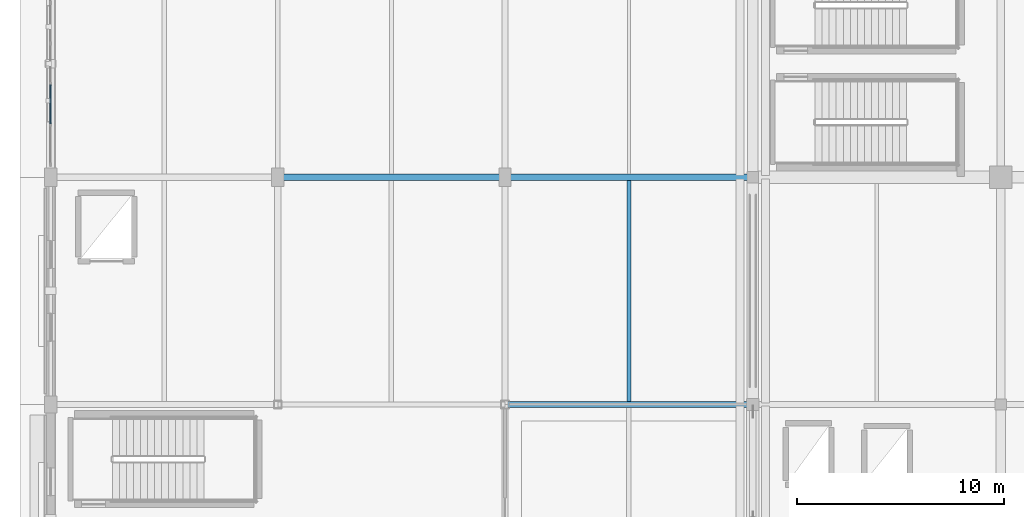
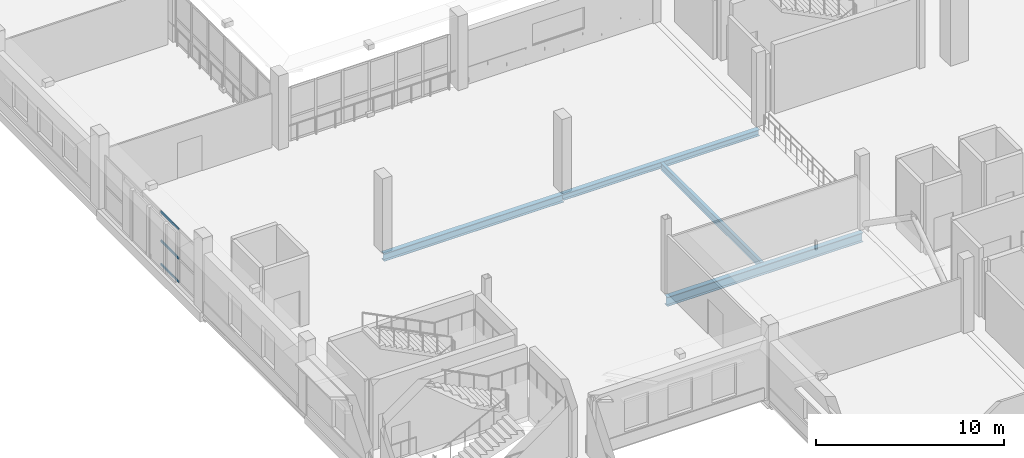
# One storey, part 27 of 143: 4 beams, 3 members, 1 element without a shape of its own.
"""IFC4 building model written with IfcOpenShell, lengths in metres."""

from ifc_helpers import new_model, si_unit, direction, frame, origin, origin_2d, place, context, subcontext, project, spatial, rectangle, i_section, extrude, material, material_profile, profile_set, type_object, element, aggregate, save


model = new_model("IFC4")

# Units and contexts
model_context = context("Model", 3, precision=1e-05, world=origin(), true_north=direction((0.0, 1.0)))
body_context = subcontext(model_context, "Body", "Model", "MODEL_VIEW")
ifc_project = project(units=[si_unit("LENGTHUNIT", "METRE"), si_unit("AREAUNIT", "SQUARE_METRE"), si_unit("VOLUMEUNIT", "CUBIC_METRE"), si_unit("PLANEANGLEUNIT", "RADIAN"), si_unit("MASSUNIT", "GRAM", prefix="KILO")], contexts=[model_context])

# Site, building, storey
site_placement = place(None, origin())
site = spatial("IfcSite", under=ifc_project, at=site_placement, CompositionType="ELEMENT")
building_placement = place(site_placement, origin())
building = spatial("IfcBuilding", under=site, at=building_placement, Name="Luwafu Chhajja Arena", CompositionType="ELEMENT")
storey_placement = place(building_placement, frame((0.0, 0.0, 5.39990234375)))
storey = spatial("IfcBuildingStorey", under=building, at=storey_placement, Name="L01", CompositionType="ELEMENT", Elevation=5.39990234375)

# Curtain wall, members
ifc_material_1 = material(Name="Anodised bronze aluminium", Category="aluminium")
curtain_wall_type = type_object("IfcCurtainWallType", Name="Bowl Concourse Chord Curtain Wall", PredefinedType="USERDEFINED", material=ifc_material_1)
curtain_wall_placement = place(storey_placement, origin())
curtain_wall = element("IfcCurtainWall", 1, at=curtain_wall_placement, inside=storey, type_object=curtain_wall_type, Name="L01 Curtain Wall CWG-L01-V00_04", ObjectType="CURTAIN WALL", PredefinedType="USERDEFINED")
ifc_material_profile_1 = material_profile(ifc_material_1, rectangle(XDim=0.06005859375, YDim=0.1298828125, at=origin_2d()), Name="CWT 60x130")
ifc_profile_set_1 = profile_set([ifc_material_profile_1], Name="Anodised bronze aluminium")
member_type = type_object("IfcMemberType", Name="Bronze Curtain Wall Transom 60x130", PredefinedType="USERDEFINED", material=ifc_profile_set_1)
member_1_placement = place(storey_placement, frame((0.0, 46.583984375, 0.06005859375), z_axis=(0.0, 1.0, 0.0), x_axis=(-1.0, 0.0, 0.0)))
member_1 = element("IfcMember", 2, at=member_1_placement, type_object=member_type, Name="CW-01 transom 2.1", ObjectType="TRANSOM", PredefinedType="USERDEFINED", context=body_context, shape_type="SweptSolid", body=[
    extrude(rectangle(XDim=0.06005859375, YDim=0.1298828125, at=origin_2d()), origin(), (0.0, 0.0, 1.0), 1.904052734375),
])
member_2_placement = place(storey_placement, frame((0.0, 46.583984375, 1.570556640625), z_axis=(0.0, 1.0, 0.0), x_axis=(-1.0, 0.0, 0.0)))
member_2 = element("IfcMember", 3, at=member_2_placement, type_object=member_type, Name="CW-01 transom 2.2", ObjectType="TRANSOM", PredefinedType="USERDEFINED", context=body_context, shape_type="SweptSolid", body=[
    extrude(rectangle(XDim=0.06005859375, YDim=0.1298828125, at=origin_2d()), origin(), (0.0, 0.0, 1.0), 1.904052734375),
])
member_3_placement = place(storey_placement, frame((0.0, 46.583984375, 3.460205078125), z_axis=(0.0, 1.0, 0.0), x_axis=(-1.0, 0.0, 0.0)))
member_3 = element("IfcMember", 4, at=member_3_placement, type_object=member_type, Name="CW-01 transom 2.3", ObjectType="TRANSOM", PredefinedType="USERDEFINED", context=body_context, shape_type="SweptSolid", body=[
    extrude(rectangle(XDim=0.06005859375, YDim=0.1298828125, at=origin_2d()), origin(), (0.0, 0.0, 1.0), 1.904052734375),
])
aggregate(curtain_wall, [member_1, member_2, member_3])

# Beams
ifc_material_2 = material(Name="Steel S355", Category="steel")
ifc_material_profile_2 = material_profile(ifc_material_2, i_section(OverallWidth=0.19140625, OverallDepth=0.4599609375, WebThickness=0.010009765625, FlangeThickness=0.01611328125, at=origin_2d()), Name="UB 457x191x82")
ifc_profile_set_2 = profile_set([ifc_material_profile_2], Name="Steel S355")
beam_type_1 = type_object("IfcBeamType", Name="Floor Joist UB 457x191x82", PredefinedType="JOIST", material=ifc_profile_set_2)
beam_1_placement = place(storey_placement, frame((28.0, 33.14990234375, -0.559814453125), z_axis=(0.0, 1.0, 0.0), x_axis=(-1.0, 0.0, 0.0)))
element("IfcBeam", 5, at=beam_1_placement, inside=storey, type_object=beam_type_1, Name="L01 Secondary Joist 3-4/D", PredefinedType="JOIST", context=body_context, shape_type="SweptSolid", body=[
    extrude(i_section(OverallWidth=0.19140625, OverallDepth=0.4599609375, WebThickness=0.010009765625, FlangeThickness=0.01611328125, at=origin_2d()), origin(), (0.0, 0.0, 1.0), 10.7001953125),
])
ifc_material_profile_3 = material_profile(ifc_material_2, i_section(OverallWidth=0.300048828125, OverallDepth=0.5, WebThickness=0.014404296875, FlangeThickness=0.028076171875, at=origin_2d()), Name="HEB 500")
ifc_profile_set_3 = profile_set([ifc_material_profile_3], Name="Steel S355")
beam_type_2 = type_object("IfcBeamType", Name="Steel Atrium Tie Girder HEB 500", PredefinedType="BEAM", material=ifc_profile_set_3)
beam_2_placement = place(storey_placement, frame((11.0, 44.0, -0.579833984375), z_axis=(1.0, 0.0, 0.0), x_axis=(0.0, 1.0, 0.0)))
element("IfcBeam", 6, at=beam_2_placement, inside=storey, type_object=beam_type_2, Name="L01 Grid Beam 2-3/E", PredefinedType="BEAM", context=body_context, shape_type="SweptSolid", body=[
    extrude(i_section(OverallWidth=0.300048828125, OverallDepth=0.5, WebThickness=0.014404296875, FlangeThickness=0.028076171875, at=origin_2d()), origin(), (0.0, 0.0, 1.0), 11.0),
])
ifc_material_profile_4 = material_profile(ifc_material_2, i_section(OverallWidth=0.300048828125, OverallDepth=0.60009765625, WebThickness=0.015380859375, FlangeThickness=0.030029296875, at=origin_2d()), Name="HEB 600")
ifc_profile_set_4 = profile_set([ifc_material_profile_4], Name="Steel S355")
beam_type_3 = type_object("IfcBeamType", Name="Steel Gallery Girder HEB 600", PredefinedType="BEAM", material=ifc_profile_set_4)
beam_3_placement = place(storey_placement, frame((22.0, 33.0, -0.6298828125), z_axis=(1.0, 0.0, 0.0), x_axis=(0.0, 1.0, 0.0)))
element("IfcBeam", 7, at=beam_3_placement, inside=storey, type_object=beam_type_3, Name="L01 Grid Beam 3-4/D", PredefinedType="BEAM", context=body_context, shape_type="SweptSolid", body=[
    extrude(i_section(OverallWidth=0.300048828125, OverallDepth=0.60009765625, WebThickness=0.015380859375, FlangeThickness=0.030029296875, at=origin_2d()), origin(), (0.0, 0.0, 1.0), 12.0),
])
ifc_material_profile_5 = material_profile(ifc_material_2, i_section(OverallWidth=0.300048828125, OverallDepth=0.39990234375, WebThickness=0.013427734375, FlangeThickness=0.02392578125, at=origin_2d()), Name="HEB 400")
ifc_profile_set_5 = profile_set([ifc_material_profile_5], Name="Steel S355")
beam_type_4 = type_object("IfcBeamType", Name="Steel Rigging Grid Beam HEB 400", PredefinedType="BEAM", material=ifc_profile_set_5)
beam_4_placement = place(storey_placement, frame((22.0, 44.0, -0.52978515625), z_axis=(1.0, 0.0, 0.0), x_axis=(0.0, 1.0, 0.0)))
element("IfcBeam", 8, at=beam_4_placement, inside=storey, type_object=beam_type_4, Name="L01 Grid Beam 3-4/E", PredefinedType="BEAM", context=body_context, shape_type="SweptSolid", body=[
    extrude(i_section(OverallWidth=0.300048828125, OverallDepth=0.39990234375, WebThickness=0.013427734375, FlangeThickness=0.02392578125, at=origin_2d()), origin(), (0.0, 0.0, 1.0), 12.0),
])

save(model, "model.ifc")
